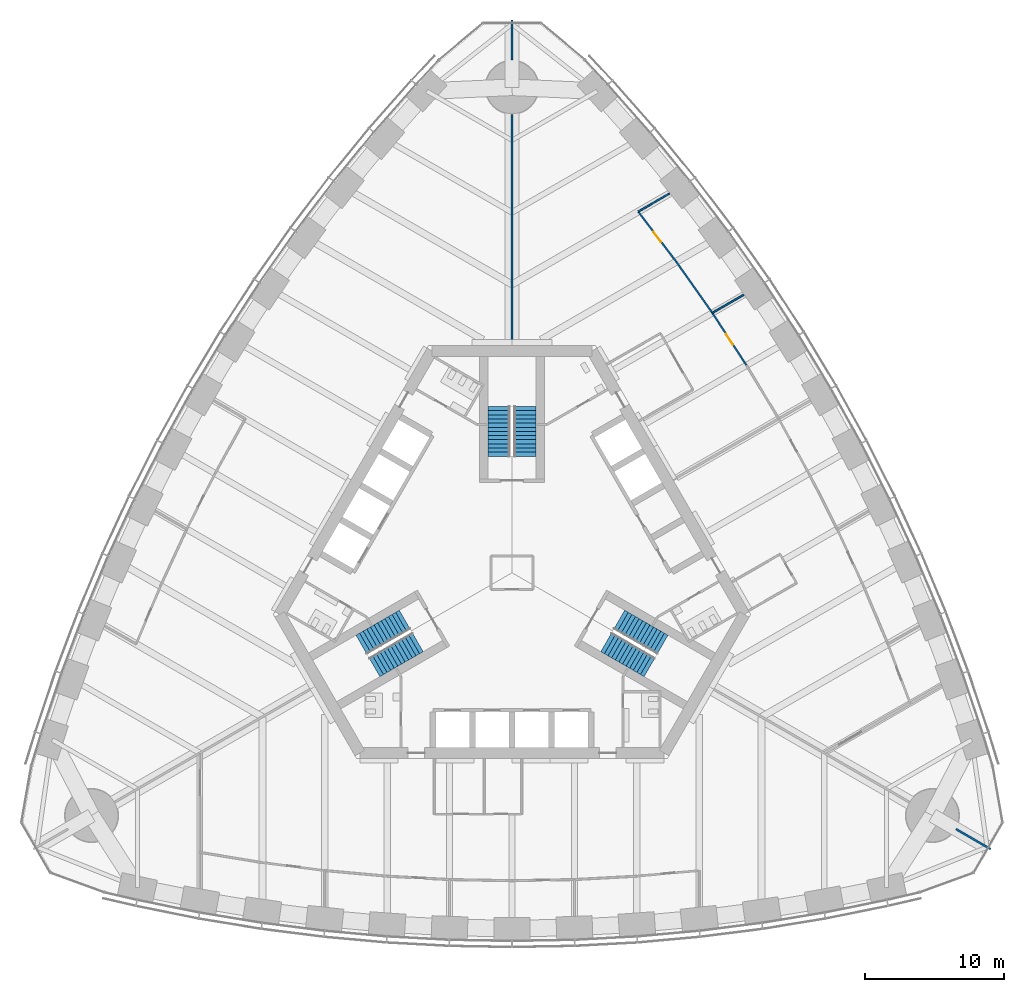
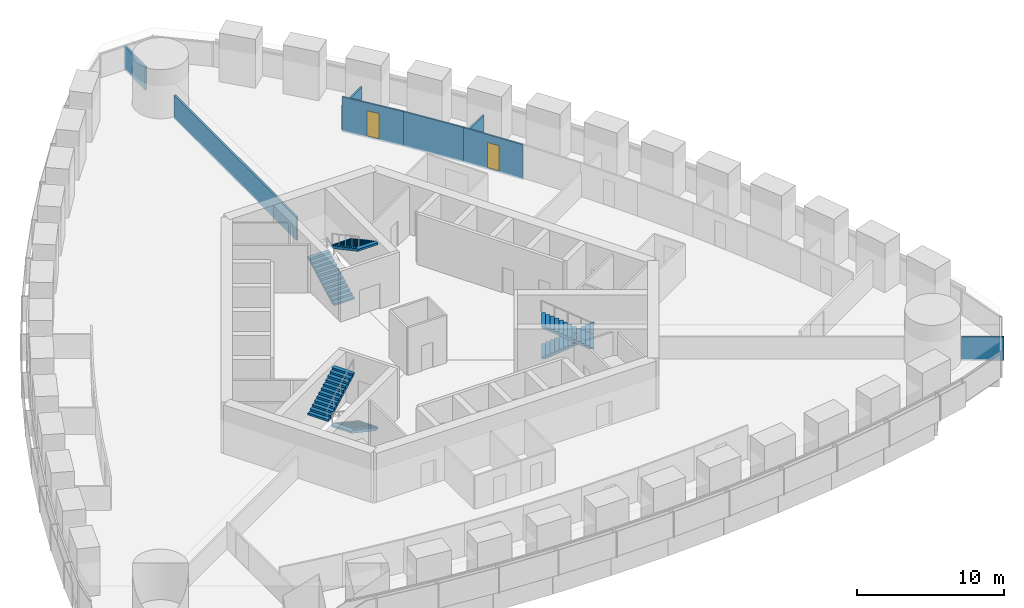
# One storey, part 13 of 18: 8 walls, 6 stair flights, 2 doors, 2 openings, 3 elements without a shape of their own.
"""IFC4 building model written with IfcOpenShell, lengths in metres."""

from ifc_helpers import new_model, si_unit, direction, frame, frame_2d, origin, place, context, subcontext, project, spatial, polyline, rectangle, outline, extrude, material, layer, layer_set, type_object, element, fill, aggregate, save


model = new_model("IFC4")

# Units and contexts
model_context = context("Model", 3, precision=1e-05, world=origin(), true_north=direction((0.0, 1.0)))
body_context = subcontext(model_context, "Body", "Model", "MODEL_VIEW")
ifc_project = project(units=[si_unit("LENGTHUNIT", "METRE"), si_unit("AREAUNIT", "SQUARE_METRE"), si_unit("VOLUMEUNIT", "CUBIC_METRE"), si_unit("PLANEANGLEUNIT", "RADIAN"), si_unit("MASSUNIT", "GRAM", prefix="KILO")], contexts=[model_context])

# Site, building, storey
site_placement = place(None, origin())
site = spatial("IfcSite", under=ifc_project, at=site_placement, CompositionType="ELEMENT")
building_placement = place(site_placement, origin())
building = spatial("IfcBuilding", under=site, at=building_placement, Name="Trefoil Bronze Tower", CompositionType="ELEMENT")
storey_placement = place(building_placement, frame((0.0, 0.0, 174.5)))
storey = spatial("IfcBuildingStorey", under=building, at=storey_placement, Name="L40", CompositionType="ELEMENT", Elevation=174.5)

# Wall, opening, door
ifc_material_1 = material(Name="Glazed partition", Category="glass")
ifc_layer_1 = layer(ifc_material_1, 0.1201171875)
ifc_layer_set_1 = layer_set([ifc_layer_1], Name="Glazed partition 120")
wall_type_1 = type_object("IfcWallType", Name="Glazed partition 120", PredefinedType="PARTITIONING", material=ifc_layer_set_1)
wall_1_placement = place(storey_placement, frame((11.841552734375, 22.42529296875, 0.0), z_axis=(0.0, 0.0, 1.0), x_axis=(-0.605240194184, 0.796042905467, 0.0)))
wall_1 = element("IfcWall", 1, at=wall_1_placement, inside=storey, type_object=wall_type_1, Name="Partition F2 L40", PredefinedType="PARTITIONING", context=body_context, shape_type="SweptSolid", body=[
    extrude(rectangle(XDim=4.535888671875, YDim=0.1201171875, at=frame_2d((2.26806640625, 0.0))), origin(), (0.0, 0.0, 1.0), 2.89990234375),
])
opening_1_placement = place(wall_1_placement, frame((1.800048828125, 0.0, 0.14990234375)))
opening_1 = element("IfcOpeningElement", 2, at=opening_1_placement, cuts=wall_1, Name="Opening D8", PredefinedType="OPENING", context=body_context, shape_type="SweptSolid", body=[
    extrude(rectangle(XDim=0.89990234375, YDim=2.10009765625, at=frame_2d((0.449951171875, 1.050048828125))), frame((0.0, 0.070068359375, 0.0), z_axis=(0.0, -1.0, 0.0), x_axis=(1.0, 0.0, 0.0)), (0.0, 0.0, 1.0), 0.14013671875),
])
ifc_material_2 = material(Name="Timber door", Category="wood")
door_type = type_object("IfcDoorType", Name="Office door 900", OperationType="SINGLE_SWING_LEFT", PredefinedType="DOOR", material=ifc_material_2)
door_1_placement = place(opening_1_placement, frame((0.89990234375, 0.0, 0.0), z_axis=(0.0, 0.0, 1.0), x_axis=(-1.0, 0.0, 0.0)))
door_1 = element("IfcDoor", 3, at=door_1_placement, inside=storey, type_object=door_type, Name="Executive office door F2 L40", OperationType="SINGLE_SWING_RIGHT", OverallHeight=2.10009765625, OverallWidth=0.89990234375, PredefinedType="DOOR", context=body_context, shape_type="SweptSolid", body=[
    extrude(rectangle(XDim=0.89990234375, YDim=2.10009765625, at=frame_2d((0.449951171875, 1.050048828125))), frame((0.0, 0.02490234375, 0.0), z_axis=(0.0, -1.0, 0.0), x_axis=(1.0, 0.0, 0.0)), (0.0, 0.0, 1.0), 0.050048828125),
])
fill(opening_1, door_1)

wall_2_placement = place(storey_placement, frame((16.9052734375, 14.956298828125, 0.0), z_axis=(0.0, 0.0, 1.0), x_axis=(-0.546069464151, 0.837739900161, 0.0)))
wall_2 = element("IfcWall", 4, at=wall_2_placement, inside=storey, type_object=wall_type_1, Name="Partition F2 L40", PredefinedType="PARTITIONING", context=body_context, shape_type="SweptSolid", body=[
    extrude(rectangle(XDim=4.506591796875, YDim=0.1201171875, at=frame_2d((2.25341796875, 0.0))), origin(), (0.0, 0.0, 1.0), 2.89990234375),
])
opening_2_placement = place(wall_2_placement, frame((1.800048828125, 0.0, 0.14990234375)))
opening_2 = element("IfcOpeningElement", 5, at=opening_2_placement, cuts=wall_2, Name="Opening D8", PredefinedType="OPENING", context=body_context, shape_type="SweptSolid", body=[
    extrude(rectangle(XDim=0.89990234375, YDim=2.10009765625, at=frame_2d((0.449951171875, 1.050048828125))), frame((0.0, 0.070068359375, 0.0), z_axis=(0.0, -1.0, 0.0), x_axis=(1.0, 0.0, 0.0)), (0.0, 0.0, 1.0), 0.14013671875),
])
door_2_placement = place(opening_2_placement, frame((0.89990234375, 0.0, 0.0), z_axis=(0.0, 0.0, 1.0), x_axis=(-1.0, 0.0, 0.0)))
door_2 = element("IfcDoor", 6, at=door_2_placement, inside=storey, type_object=door_type, Name="Executive office door F2 L40", OperationType="SINGLE_SWING_RIGHT", OverallHeight=2.10009765625, OverallWidth=0.89990234375, PredefinedType="DOOR", context=body_context, shape_type="SweptSolid", body=[
    extrude(rectangle(XDim=0.89990234375, YDim=2.10009765625, at=frame_2d((0.449951171875, 1.050048828125))), frame((0.0, 0.02490234375, 0.0), z_axis=(0.0, -1.0, 0.0), x_axis=(1.0, 0.0, 0.0)), (0.0, 0.0, 1.0), 0.050048828125),
])
fill(opening_2, door_2)

# Walls
wall_3_placement = place(storey_placement, frame((14.4443359375, 18.731689453125, 0.0), z_axis=(0.0, 0.0, 1.0), x_axis=(-0.576023283708, 0.817433285734, 0.0)))
element("IfcWall", 7, at=wall_3_placement, inside=storey, type_object=wall_type_1, Name="Partition F2 L40", PredefinedType="PARTITIONING", context=body_context, shape_type="SweptSolid", body=[
    extrude(rectangle(XDim=4.5185546875, YDim=0.1201171875, at=frame_2d((2.25927734375, 0.0))), origin(), (0.0, 0.0, 1.0), 2.89990234375),
])
wall_4_placement = place(storey_placement, frame((9.09619140625, 26.0361328125, 0.0), z_axis=(0.0, 0.0, 1.0), x_axis=(0.866012205188, 0.500022859943, 0.0)))
element("IfcWall", 8, at=wall_4_placement, inside=storey, type_object=wall_type_1, Name="Partition F2 L40", PredefinedType="PARTITIONING", context=body_context, shape_type="SweptSolid", body=[
    extrude(rectangle(XDim=2.60302734375, YDim=0.1201171875, at=frame_2d((1.301513671875, 0.0))), origin(), (0.0, 0.0, 1.0), 2.14990234375),
])
wall_5_placement = place(storey_placement, frame((14.4443359375, 18.731689453125, 0.0), z_axis=(0.0, 0.0, 1.0), x_axis=(0.866011491631, 0.500024095782, 0.0)))
element("IfcWall", 9, at=wall_5_placement, inside=storey, type_object=wall_type_1, Name="Partition F2 L40", PredefinedType="PARTITIONING", context=body_context, shape_type="SweptSolid", body=[
    extrude(rectangle(XDim=2.615478515625, YDim=0.1201171875, at=frame_2d((1.3076171875, 0.0))), origin(), (0.0, 0.0, 1.0), 2.35009765625),
])
ifc_material_3 = material(Name="Gypsum board on steel studs", Category="steel")
ifc_layer_2 = layer(ifc_material_3, 0.14990234375)
ifc_layer_set_2 = layer_set([ifc_layer_2], Name="Party wall 150")
wall_type_2 = type_object("IfcWallType", Name="Party wall 150", PredefinedType="PARTITIONING", material=ifc_layer_set_2)
wall_6_placement = place(storey_placement, frame((31.999755859375, -18.47509765625, 0.0), z_axis=(0.0, 0.0, 1.0), x_axis=(0.866042548026, -0.499970304126, 0.0)))
element("IfcWall", 10, at=wall_6_placement, inside=storey, type_object=wall_type_2, Name="Party wall K1 L40", PredefinedType="PARTITIONING", context=body_context, shape_type="SweptSolid", body=[
    extrude(rectangle(XDim=2.899169921875, YDim=0.14990234375, at=frame_2d((1.44970703125, 0.0))), origin(), (0.0, 0.0, 1.0), 1.949951171875),
])
wall_7_placement = place(storey_placement, frame((0.0, 16.39990234375, 0.0), z_axis=(0.0, 0.0, 1.0), x_axis=(0.0, 1.0, 0.0)))
element("IfcWall", 11, at=wall_7_placement, inside=storey, type_object=wall_type_2, Name="Party wall K2 L40", PredefinedType="PARTITIONING", context=body_context, shape_type="SweptSolid", body=[
    extrude(rectangle(XDim=16.650146484375, YDim=0.14990234375, at=frame_2d((8.3251953125, 0.0))), origin(), (0.0, 0.0, 1.0), 1.949951171875),
])
wall_8_placement = place(storey_placement, frame((0.0, 36.949951171875, 0.0), z_axis=(0.0, 0.0, 1.0), x_axis=(0.0, 1.0, 0.0)))
element("IfcWall", 12, at=wall_8_placement, inside=storey, type_object=wall_type_2, Name="Party wall K2 L40", PredefinedType="PARTITIONING", context=body_context, shape_type="SweptSolid", body=[
    extrude(rectangle(XDim=2.8994140625, YDim=0.14990234375, at=frame_2d((1.44970703125, 0.0))), origin(), (0.0, 0.0, 1.0), 1.949951171875),
])

# Stair, stair flights
ifc_material_4 = material(Name="Precast concrete B80", Category="concrete")
stair_type = type_object("IfcStairType", Name="Exit stair 26 risers", PredefinedType="HALF_TURN_STAIR", material=ifc_material_4)
stair_1_placement = place(storey_placement, origin())
stair_1 = element("IfcStair", 13, at=stair_1_placement, inside=storey, type_object=stair_type, Name="Stair ST1 L40", PredefinedType="HALF_TURN_STAIR")
ifc_material_5 = material(Name="Precast concrete B80", Category="concrete")
stair_flight_type = type_object("IfcStairFlightType", Name="Stair flight 1600", PredefinedType="STRAIGHT", material=ifc_material_5)
stair_flight_1_placement = place(storey_placement, frame((7.728515625, -3.39404296875, 0.0), z_axis=(0.0, 0.0, 1.0), x_axis=(0.866025403784, -0.5, 0.0)))
stair_flight_1 = element("IfcStairFlight", 14, at=stair_flight_1_placement, type_object=stair_flight_type, Name="ST1 flight 1", NumberOfRisers=13, NumberOfTreads=12, PredefinedType="STRAIGHT", RiserHeight=0.161538462, TreadLength=0.3, context=body_context, shape_type="SweptSolid", body=[
    extrude(outline(polyline([(0.0, 0.0), (0.0, 0.16162109375), (0.300048828125, 0.16162109375), (0.300048828125, 0.322998046875), (0.60009765625, 0.322998046875), (0.60009765625, 0.484619140625), (0.89990234375, 0.484619140625), (0.89990234375, 0.646240234375), (1.199951171875, 0.646240234375), (1.199951171875, 0.8076171875), (1.5, 0.8076171875), (1.5, 0.96923828125), (1.800048828125, 0.96923828125), (1.800048828125, 1.130859375), (2.10009765625, 1.130859375), (2.10009765625, 1.292236328125), (2.39990234375, 1.292236328125), (2.39990234375, 1.453857421875), (2.699951171875, 1.453857421875), (2.699951171875, 1.615478515625), (3.0, 1.615478515625), (3.0, 1.77685546875), (3.300048828125, 1.77685546875), (3.300048828125, 1.9384765625), (3.60009765625, 1.9384765625), (3.60009765625, 2.10009765625), (3.60009765625, 1.768310546875), (0.316162109375, 0.0), (0.0, 0.0)])), frame((0.0, 0.800048828125, 0.0), z_axis=(0.0, -1.0, 0.0), x_axis=(1.0, 0.0, 0.0)), (0.0, 0.0, 1.0), 1.60009765625),
])
stair_flight_2_placement = place(storey_placement, frame((9.921142578125, -6.796142578125, 2.10009765625), z_axis=(0.0, 0.0, 1.0), x_axis=(-0.866025403784, 0.5, 0.0)))
stair_flight_2 = element("IfcStairFlight", 15, at=stair_flight_2_placement, type_object=stair_flight_type, Name="ST1 flight 2", NumberOfRisers=13, NumberOfTreads=12, PredefinedType="STRAIGHT", RiserHeight=0.161538462, TreadLength=0.3, context=body_context, shape_type="SweptSolid", body=[
    extrude(outline(polyline([(0.0, 0.0), (0.0, 0.16162109375), (0.300048828125, 0.16162109375), (0.300048828125, 0.322998046875), (0.60009765625, 0.322998046875), (0.60009765625, 0.484619140625), (0.89990234375, 0.484619140625), (0.89990234375, 0.646240234375), (1.199951171875, 0.646240234375), (1.199951171875, 0.8076171875), (1.5, 0.8076171875), (1.5, 0.96923828125), (1.800048828125, 0.96923828125), (1.800048828125, 1.130859375), (2.10009765625, 1.130859375), (2.10009765625, 1.292236328125), (2.39990234375, 1.292236328125), (2.39990234375, 1.453857421875), (2.699951171875, 1.453857421875), (2.699951171875, 1.615478515625), (3.0, 1.615478515625), (3.0, 1.77685546875), (3.300048828125, 1.77685546875), (3.300048828125, 1.9384765625), (3.60009765625, 1.9384765625), (3.60009765625, 2.10009765625), (3.60009765625, 1.768310546875), (0.316162109375, 0.0), (0.0, 0.0)])), frame((0.0, 0.800048828125, 0.0), z_axis=(0.0, -1.0, 0.0), x_axis=(1.0, 0.0, 0.0)), (0.0, 0.0, 1.0), 1.60009765625),
])
aggregate(stair_1, [stair_flight_1, stair_flight_2])

stair_2_placement = place(storey_placement, origin())
stair_2 = element("IfcStair", 16, at=stair_2_placement, inside=storey, type_object=stair_type, Name="Stair ST2 L40", PredefinedType="HALF_TURN_STAIR")
stair_flight_3_placement = place(storey_placement, frame((-0.925048828125, 8.389892578125, 0.0), z_axis=(0.0, 0.0, 1.0), x_axis=(0.0, 1.0, 0.0)))
stair_flight_3 = element("IfcStairFlight", 17, at=stair_flight_3_placement, type_object=stair_flight_type, Name="ST2 flight 1", NumberOfRisers=13, NumberOfTreads=12, PredefinedType="STRAIGHT", RiserHeight=0.161538462, TreadLength=0.3, context=body_context, shape_type="SweptSolid", body=[
    extrude(outline(polyline([(0.0, 0.0), (0.0, 0.16162109375), (0.300048828125, 0.16162109375), (0.300048828125, 0.322998046875), (0.60009765625, 0.322998046875), (0.60009765625, 0.484619140625), (0.89990234375, 0.484619140625), (0.89990234375, 0.646240234375), (1.199951171875, 0.646240234375), (1.199951171875, 0.8076171875), (1.5, 0.8076171875), (1.5, 0.96923828125), (1.800048828125, 0.96923828125), (1.800048828125, 1.130859375), (2.10009765625, 1.130859375), (2.10009765625, 1.292236328125), (2.39990234375, 1.292236328125), (2.39990234375, 1.453857421875), (2.699951171875, 1.453857421875), (2.699951171875, 1.615478515625), (3.0, 1.615478515625), (3.0, 1.77685546875), (3.300048828125, 1.77685546875), (3.300048828125, 1.9384765625), (3.60009765625, 1.9384765625), (3.60009765625, 2.10009765625), (3.60009765625, 1.768310546875), (0.316162109375, 0.0), (0.0, 0.0)])), frame((0.0, 0.800048828125, 0.0), z_axis=(0.0, -1.0, 0.0), x_axis=(1.0, 0.0, 0.0)), (0.0, 0.0, 1.0), 1.60009765625),
])
stair_flight_4_placement = place(storey_placement, frame((0.925048828125, 11.989990234375, 2.10009765625), z_axis=(0.0, 0.0, 1.0), x_axis=(0.0, -1.0, 0.0)))
stair_flight_4 = element("IfcStairFlight", 18, at=stair_flight_4_placement, type_object=stair_flight_type, Name="ST2 flight 2", NumberOfRisers=13, NumberOfTreads=12, PredefinedType="STRAIGHT", RiserHeight=0.161538462, TreadLength=0.3, context=body_context, shape_type="SweptSolid", body=[
    extrude(outline(polyline([(0.0, 0.0), (0.0, 0.16162109375), (0.300048828125, 0.16162109375), (0.300048828125, 0.322998046875), (0.60009765625, 0.322998046875), (0.60009765625, 0.484619140625), (0.89990234375, 0.484619140625), (0.89990234375, 0.646240234375), (1.199951171875, 0.646240234375), (1.199951171875, 0.8076171875), (1.5, 0.8076171875), (1.5, 0.96923828125), (1.800048828125, 0.96923828125), (1.800048828125, 1.130859375), (2.10009765625, 1.130859375), (2.10009765625, 1.292236328125), (2.39990234375, 1.292236328125), (2.39990234375, 1.453857421875), (2.699951171875, 1.453857421875), (2.699951171875, 1.615478515625), (3.0, 1.615478515625), (3.0, 1.77685546875), (3.300048828125, 1.77685546875), (3.300048828125, 1.9384765625), (3.60009765625, 1.9384765625), (3.60009765625, 2.10009765625), (3.60009765625, 1.768310546875), (0.316162109375, 0.0), (0.0, 0.0)])), frame((0.0, 0.800048828125, 0.0), z_axis=(0.0, -1.0, 0.0), x_axis=(1.0, 0.0, 0.0)), (0.0, 0.0, 1.0), 1.60009765625),
])
aggregate(stair_2, [stair_flight_3, stair_flight_4])

stair_3_placement = place(storey_placement, origin())
stair_3 = element("IfcStair", 19, at=stair_3_placement, inside=storey, type_object=stair_type, Name="Stair ST3 L40", PredefinedType="HALF_TURN_STAIR")
stair_flight_5_placement = place(storey_placement, frame((-6.803466796875, -4.99609375, 0.0), z_axis=(0.0, 0.0, 1.0), x_axis=(-0.866025403784, -0.5, 0.0)))
stair_flight_5 = element("IfcStairFlight", 20, at=stair_flight_5_placement, type_object=stair_flight_type, Name="ST3 flight 1", NumberOfRisers=13, NumberOfTreads=12, PredefinedType="STRAIGHT", RiserHeight=0.161538462, TreadLength=0.3, context=body_context, shape_type="SweptSolid", body=[
    extrude(outline(polyline([(0.0, 0.0), (0.0, 0.16162109375), (0.300048828125, 0.16162109375), (0.300048828125, 0.322998046875), (0.60009765625, 0.322998046875), (0.60009765625, 0.484619140625), (0.89990234375, 0.484619140625), (0.89990234375, 0.646240234375), (1.199951171875, 0.646240234375), (1.199951171875, 0.8076171875), (1.5, 0.8076171875), (1.5, 0.96923828125), (1.800048828125, 0.96923828125), (1.800048828125, 1.130859375), (2.10009765625, 1.130859375), (2.10009765625, 1.292236328125), (2.39990234375, 1.292236328125), (2.39990234375, 1.453857421875), (2.699951171875, 1.453857421875), (2.699951171875, 1.615478515625), (3.0, 1.615478515625), (3.0, 1.77685546875), (3.300048828125, 1.77685546875), (3.300048828125, 1.9384765625), (3.60009765625, 1.9384765625), (3.60009765625, 2.10009765625), (3.60009765625, 1.768310546875), (0.316162109375, 0.0), (0.0, 0.0)])), frame((0.0, 0.800048828125, 0.0), z_axis=(0.0, -1.0, 0.0), x_axis=(1.0, 0.0, 0.0)), (0.0, 0.0, 1.0), 1.60009765625),
])
stair_flight_6_placement = place(storey_placement, frame((-10.84619140625, -5.19384765625, 2.10009765625), z_axis=(0.0, 0.0, 1.0), x_axis=(0.866025403784, 0.5, 0.0)))
stair_flight_6 = element("IfcStairFlight", 21, at=stair_flight_6_placement, type_object=stair_flight_type, Name="ST3 flight 2", NumberOfRisers=13, NumberOfTreads=12, PredefinedType="STRAIGHT", RiserHeight=0.161538462, TreadLength=0.3, context=body_context, shape_type="SweptSolid", body=[
    extrude(outline(polyline([(0.0, 0.0), (0.0, 0.16162109375), (0.300048828125, 0.16162109375), (0.300048828125, 0.322998046875), (0.60009765625, 0.322998046875), (0.60009765625, 0.484619140625), (0.89990234375, 0.484619140625), (0.89990234375, 0.646240234375), (1.199951171875, 0.646240234375), (1.199951171875, 0.8076171875), (1.5, 0.8076171875), (1.5, 0.96923828125), (1.800048828125, 0.96923828125), (1.800048828125, 1.130859375), (2.10009765625, 1.130859375), (2.10009765625, 1.292236328125), (2.39990234375, 1.292236328125), (2.39990234375, 1.453857421875), (2.699951171875, 1.453857421875), (2.699951171875, 1.615478515625), (3.0, 1.615478515625), (3.0, 1.77685546875), (3.300048828125, 1.77685546875), (3.300048828125, 1.9384765625), (3.60009765625, 1.9384765625), (3.60009765625, 2.10009765625), (3.60009765625, 1.768310546875), (0.316162109375, 0.0), (0.0, 0.0)])), frame((0.0, 0.800048828125, 0.0), z_axis=(0.0, -1.0, 0.0), x_axis=(1.0, 0.0, 0.0)), (0.0, 0.0, 1.0), 1.60009765625),
])
aggregate(stair_3, [stair_flight_5, stair_flight_6])

save(model, "model.ifc")
